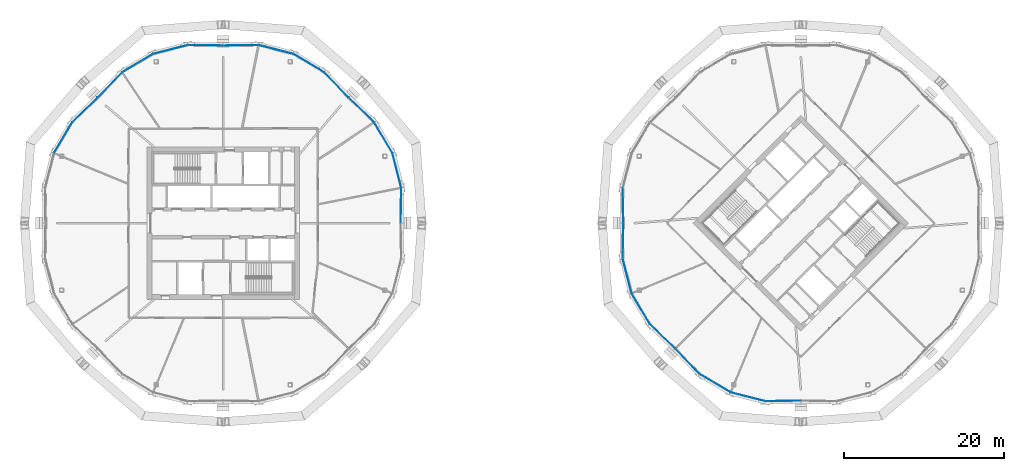
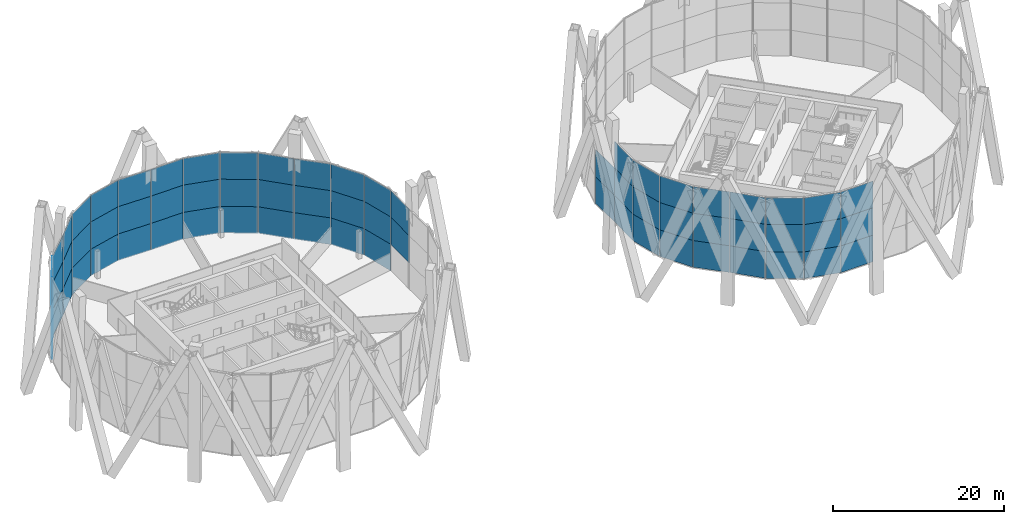
# One storey, part 13 of 23: 67 plates, 7 elements without a shape of their own.
"""IFC4 building model written with IfcOpenShell, lengths in metres."""

from ifc_helpers import new_model, si_unit, direction, frame, origin, origin_2d, place, context, subcontext, project, spatial, rectangle, extrude, material, layer, layer_set, type_object, element, aggregate, save


model = new_model("IFC4")

# Units and contexts
model_context = context("Model", 3, precision=1e-05, world=origin(), true_north=direction((0.0, 1.0)))
body_context = subcontext(model_context, "Body", "Model", "MODEL_VIEW")
ifc_project = project(units=[si_unit("LENGTHUNIT", "METRE"), si_unit("AREAUNIT", "SQUARE_METRE"), si_unit("VOLUMEUNIT", "CUBIC_METRE"), si_unit("PLANEANGLEUNIT", "RADIAN"), si_unit("MASSUNIT", "GRAM", prefix="KILO")], contexts=[model_context])

# Site, building, storey
site_placement = place(None, origin())
site = spatial("IfcSite", under=ifc_project, at=site_placement, CompositionType="ELEMENT")
building_placement = place(site_placement, origin())
building = spatial("IfcBuilding", under=site, at=building_placement, Name="Ogive Gate Towers", CompositionType="ELEMENT")
storey_placement = place(building_placement, frame((0.0, 0.0, 165.60009765625)))
storey = spatial("IfcBuildingStorey", under=building, at=storey_placement, Name="L39", CompositionType="ELEMENT", Elevation=165.60009765625)

# Curtain wall, plates
ifc_material_1 = material(Name="Pale metal aluminium", Category="aluminium")
curtain_wall_type = type_object("IfcCurtainWallType", Name="Tower unitised wall, high zone", PredefinedType="NOTDEFINED", material=ifc_material_1)
curtain_wall_1_placement = place(storey_placement, origin())
curtain_wall_1 = element("IfcCurtainWall", 1, at=curtain_wall_1_placement, inside=storey, type_object=curtain_wall_type, Name="CW2 T1 ECW01", PredefinedType="NOTDEFINED")
ifc_material_2 = material(Name="Clear glass", Category="glass")
ifc_layer = layer(ifc_material_2, 0.028076171875)
ifc_layer_set = layer_set([ifc_layer], Name="Tower unitised wall, high zone glass panel")
plate_type = type_object("IfcPlateType", Name="Tower unitised wall, high zone glass panel", PredefinedType="CURTAIN_PANEL", material=ifc_layer_set)
plate_1_placement = place(storey_placement, frame((-13.83642578125, 2.20166015625, 3.599853515625), z_axis=(0.0, 0.0, 1.0), x_axis=(0.015271037347, 0.99988339091, 0.0)))
plate_1 = element("IfcPlate", 2, at=plate_1_placement, type_object=plate_type, Name="CW2 glass panel", PredefinedType="CURTAIN_PANEL", context=body_context, shape_type="SweptSolid", body=[
    extrude(rectangle(XDim=4.349853515625, YDim=0.028076171875, at=origin_2d()), origin(), (0.0, 0.0, 1.0), 3.89990234375),
])
plate_2_placement = place(storey_placement, frame((-13.83642578125, 2.20166015625, 7.5), z_axis=(0.0, 0.0, 1.0), x_axis=(0.015271037347, 0.99988339091, 0.0)))
plate_2 = element("IfcPlate", 3, at=plate_2_placement, type_object=plate_type, Name="CW2 glass panel", PredefinedType="CURTAIN_PANEL", context=body_context, shape_type="SweptSolid", body=[
    extrude(rectangle(XDim=4.349853515625, YDim=0.028076171875, at=origin_2d()), origin(), (0.0, 0.0, 1.0), 3.803955078125),
])
plate_3_placement = place(storey_placement, frame((-14.354736328125, 6.572021484375, -0.2041015625), z_axis=(0.0, 0.0, 1.0), x_axis=(-0.247100486458, 0.968989860418, 0.0)))
plate_3 = element("IfcPlate", 4, at=plate_3_placement, type_object=plate_type, Name="CW2 glass panel", PredefinedType="CURTAIN_PANEL", context=body_context, shape_type="SweptSolid", body=[
    extrude(rectangle(XDim=4.406494140625, YDim=0.028076171875, at=origin_2d()), origin(), (0.0, 0.0, 1.0), 3.803955078125),
])
plate_4_placement = place(storey_placement, frame((-14.354736328125, 6.572021484375, 3.599853515625), z_axis=(0.0, 0.0, 1.0), x_axis=(-0.247100486458, 0.968989860418, 0.0)))
plate_4 = element("IfcPlate", 5, at=plate_4_placement, type_object=plate_type, Name="CW2 glass panel", PredefinedType="CURTAIN_PANEL", context=body_context, shape_type="SweptSolid", body=[
    extrude(rectangle(XDim=4.406494140625, YDim=0.028076171875, at=origin_2d()), origin(), (0.0, 0.0, 1.0), 3.89990234375),
])
plate_5_placement = place(storey_placement, frame((-14.354736328125, 6.572021484375, 7.5), z_axis=(0.0, 0.0, 1.0), x_axis=(-0.247100486458, 0.968989860418, 0.0)))
plate_5 = element("IfcPlate", 6, at=plate_5_placement, type_object=plate_type, Name="CW2 glass panel", PredefinedType="CURTAIN_PANEL", context=body_context, shape_type="SweptSolid", body=[
    extrude(rectangle(XDim=4.406494140625, YDim=0.028076171875, at=origin_2d()), origin(), (0.0, 0.0, 1.0), 3.803955078125),
])
plate_6_placement = place(storey_placement, frame((-16.04736328125, 10.658447265625, -0.2041015625), z_axis=(0.0, 0.0, 1.0), x_axis=(-0.510452871593, 0.859905730811, 0.0)))
plate_6 = element("IfcPlate", 7, at=plate_6_placement, type_object=plate_type, Name="CW2 glass panel", PredefinedType="CURTAIN_PANEL", context=body_context, shape_type="SweptSolid", body=[
    extrude(rectangle(XDim=4.406494140625, YDim=0.028076171875, at=origin_2d()), origin(), (0.0, 0.0, 1.0), 3.803955078125),
])
plate_7_placement = place(storey_placement, frame((-16.04736328125, 10.658447265625, 3.599853515625), z_axis=(0.0, 0.0, 1.0), x_axis=(-0.510452871593, 0.859905730811, 0.0)))
plate_7 = element("IfcPlate", 8, at=plate_7_placement, type_object=plate_type, Name="CW2 glass panel", PredefinedType="CURTAIN_PANEL", context=body_context, shape_type="SweptSolid", body=[
    extrude(rectangle(XDim=4.406494140625, YDim=0.028076171875, at=origin_2d()), origin(), (0.0, 0.0, 1.0), 3.89990234375),
])
plate_8_placement = place(storey_placement, frame((-16.04736328125, 10.658447265625, 7.5), z_axis=(0.0, 0.0, 1.0), x_axis=(-0.510452871593, 0.859905730811, 0.0)))
plate_8 = element("IfcPlate", 9, at=plate_8_placement, type_object=plate_type, Name="CW2 glass panel", PredefinedType="CURTAIN_PANEL", context=body_context, shape_type="SweptSolid", body=[
    extrude(rectangle(XDim=4.406494140625, YDim=0.028076171875, at=origin_2d()), origin(), (0.0, 0.0, 1.0), 3.803955078125),
])
plate_9_placement = place(storey_placement, frame((-18.77099609375, 14.115234375, -0.2041015625), z_axis=(0.0, 0.0, 1.0), x_axis=(-0.717810428625, 0.696238600306, 0.0)))
plate_9 = element("IfcPlate", 10, at=plate_9_placement, type_object=plate_type, Name="CW2 glass panel", PredefinedType="CURTAIN_PANEL", context=body_context, shape_type="SweptSolid", body=[
    extrude(rectangle(XDim=4.349853515625, YDim=0.028076171875, at=origin_2d()), origin(), (0.0, 0.0, 1.0), 3.803955078125),
])
plate_10_placement = place(storey_placement, frame((-18.77099609375, 14.115234375, 3.599853515625), z_axis=(0.0, 0.0, 1.0), x_axis=(-0.717810428625, 0.696238600306, 0.0)))
plate_10 = element("IfcPlate", 11, at=plate_10_placement, type_object=plate_type, Name="CW2 glass panel", PredefinedType="CURTAIN_PANEL", context=body_context, shape_type="SweptSolid", body=[
    extrude(rectangle(XDim=4.349853515625, YDim=0.028076171875, at=origin_2d()), origin(), (0.0, 0.0, 1.0), 3.89990234375),
])
plate_11_placement = place(storey_placement, frame((-18.77099609375, 14.115234375, 7.5), z_axis=(0.0, 0.0, 1.0), x_axis=(-0.717810428625, 0.696238600306, 0.0)))
plate_11 = element("IfcPlate", 12, at=plate_11_placement, type_object=plate_type, Name="CW2 glass panel", PredefinedType="CURTAIN_PANEL", context=body_context, shape_type="SweptSolid", body=[
    extrude(rectangle(XDim=4.349853515625, YDim=0.028076171875, at=origin_2d()), origin(), (0.0, 0.0, 1.0), 3.803955078125),
])
aggregate(curtain_wall_1, [plate_1, plate_2, plate_3, plate_4, plate_5, plate_6, plate_7, plate_8, plate_9, plate_10, plate_11])

curtain_wall_2_placement = place(storey_placement, origin())
curtain_wall_2 = element("IfcCurtainWall", 13, at=curtain_wall_2_placement, inside=storey, type_object=curtain_wall_type, Name="CW2 T1 ECW02", PredefinedType="NOTDEFINED")
plate_12_placement = place(storey_placement, frame((-21.884765625, 17.22900390625, -0.2041015625), z_axis=(0.0, 0.0, 1.0), x_axis=(-0.696238600306, 0.717810428625, 0.0)))
plate_12 = element("IfcPlate", 14, at=plate_12_placement, type_object=plate_type, Name="CW2 glass panel", PredefinedType="CURTAIN_PANEL", context=body_context, shape_type="SweptSolid", body=[
    extrude(rectangle(XDim=4.349853515625, YDim=0.028076171875, at=origin_2d()), origin(), (0.0, 0.0, 1.0), 3.803955078125),
])
plate_13_placement = place(storey_placement, frame((-21.884765625, 17.22900390625, 3.599853515625), z_axis=(0.0, 0.0, 1.0), x_axis=(-0.696238600306, 0.717810428625, 0.0)))
plate_13 = element("IfcPlate", 15, at=plate_13_placement, type_object=plate_type, Name="CW2 glass panel", PredefinedType="CURTAIN_PANEL", context=body_context, shape_type="SweptSolid", body=[
    extrude(rectangle(XDim=4.349853515625, YDim=0.028076171875, at=origin_2d()), origin(), (0.0, 0.0, 1.0), 3.89990234375),
])
plate_14_placement = place(storey_placement, frame((-21.884765625, 17.22900390625, 7.5), z_axis=(0.0, 0.0, 1.0), x_axis=(-0.696238600306, 0.717810428625, 0.0)))
plate_14 = element("IfcPlate", 16, at=plate_14_placement, type_object=plate_type, Name="CW2 glass panel", PredefinedType="CURTAIN_PANEL", context=body_context, shape_type="SweptSolid", body=[
    extrude(rectangle(XDim=4.349853515625, YDim=0.028076171875, at=origin_2d()), origin(), (0.0, 0.0, 1.0), 3.803955078125),
])
plate_15_placement = place(storey_placement, frame((-25.341552734375, 19.95263671875, -0.2041015625), z_axis=(0.0, 0.0, 1.0), x_axis=(-0.859905730811, 0.510452871593, 0.0)))
plate_15 = element("IfcPlate", 17, at=plate_15_placement, type_object=plate_type, Name="CW2 glass panel", PredefinedType="CURTAIN_PANEL", context=body_context, shape_type="SweptSolid", body=[
    extrude(rectangle(XDim=4.406494140625, YDim=0.028076171875, at=origin_2d()), origin(), (0.0, 0.0, 1.0), 3.803955078125),
])
plate_16_placement = place(storey_placement, frame((-25.341552734375, 19.95263671875, 3.599853515625), z_axis=(0.0, 0.0, 1.0), x_axis=(-0.859905730811, 0.510452871593, 0.0)))
plate_16 = element("IfcPlate", 18, at=plate_16_placement, type_object=plate_type, Name="CW2 glass panel", PredefinedType="CURTAIN_PANEL", context=body_context, shape_type="SweptSolid", body=[
    extrude(rectangle(XDim=4.406494140625, YDim=0.028076171875, at=origin_2d()), origin(), (0.0, 0.0, 1.0), 3.89990234375),
])
plate_17_placement = place(storey_placement, frame((-25.341552734375, 19.95263671875, 7.5), z_axis=(0.0, 0.0, 1.0), x_axis=(-0.859905730811, 0.510452871593, 0.0)))
plate_17 = element("IfcPlate", 19, at=plate_17_placement, type_object=plate_type, Name="CW2 glass panel", PredefinedType="CURTAIN_PANEL", context=body_context, shape_type="SweptSolid", body=[
    extrude(rectangle(XDim=4.406494140625, YDim=0.028076171875, at=origin_2d()), origin(), (0.0, 0.0, 1.0), 3.803955078125),
])
plate_18_placement = place(storey_placement, frame((-29.427978515625, 21.645263671875, -0.2041015625), z_axis=(0.0, 0.0, 1.0), x_axis=(-0.968989860418, 0.247100486458, 0.0)))
plate_18 = element("IfcPlate", 20, at=plate_18_placement, type_object=plate_type, Name="CW2 glass panel", PredefinedType="CURTAIN_PANEL", context=body_context, shape_type="SweptSolid", body=[
    extrude(rectangle(XDim=4.406494140625, YDim=0.028076171875, at=origin_2d()), origin(), (0.0, 0.0, 1.0), 3.803955078125),
])
plate_19_placement = place(storey_placement, frame((-29.427978515625, 21.645263671875, 3.599853515625), z_axis=(0.0, 0.0, 1.0), x_axis=(-0.968989860418, 0.247100486458, 0.0)))
plate_19 = element("IfcPlate", 21, at=plate_19_placement, type_object=plate_type, Name="CW2 glass panel", PredefinedType="CURTAIN_PANEL", context=body_context, shape_type="SweptSolid", body=[
    extrude(rectangle(XDim=4.406494140625, YDim=0.028076171875, at=origin_2d()), origin(), (0.0, 0.0, 1.0), 3.89990234375),
])
plate_20_placement = place(storey_placement, frame((-29.427978515625, 21.645263671875, 7.5), z_axis=(0.0, 0.0, 1.0), x_axis=(-0.968989860418, 0.247100486458, 0.0)))
plate_20 = element("IfcPlate", 22, at=plate_20_placement, type_object=plate_type, Name="CW2 glass panel", PredefinedType="CURTAIN_PANEL", context=body_context, shape_type="SweptSolid", body=[
    extrude(rectangle(XDim=4.406494140625, YDim=0.028076171875, at=origin_2d()), origin(), (0.0, 0.0, 1.0), 3.803955078125),
])
plate_21_placement = place(storey_placement, frame((-33.79833984375, 22.16357421875, -0.2041015625), z_axis=(0.0, 0.0, 1.0), x_axis=(-0.99988339091, -0.015271037347, 0.0)))
plate_21 = element("IfcPlate", 23, at=plate_21_placement, type_object=plate_type, Name="CW2 glass panel", PredefinedType="CURTAIN_PANEL", context=body_context, shape_type="SweptSolid", body=[
    extrude(rectangle(XDim=4.349853515625, YDim=0.028076171875, at=origin_2d()), origin(), (0.0, 0.0, 1.0), 3.803955078125),
])
plate_22_placement = place(storey_placement, frame((-33.79833984375, 22.16357421875, 3.599853515625), z_axis=(0.0, 0.0, 1.0), x_axis=(-0.99988339091, -0.015271037347, 0.0)))
plate_22 = element("IfcPlate", 24, at=plate_22_placement, type_object=plate_type, Name="CW2 glass panel", PredefinedType="CURTAIN_PANEL", context=body_context, shape_type="SweptSolid", body=[
    extrude(rectangle(XDim=4.349853515625, YDim=0.028076171875, at=origin_2d()), origin(), (0.0, 0.0, 1.0), 3.89990234375),
])
plate_23_placement = place(storey_placement, frame((-33.79833984375, 22.16357421875, 7.5), z_axis=(0.0, 0.0, 1.0), x_axis=(-0.99988339091, -0.015271037347, 0.0)))
plate_23 = element("IfcPlate", 25, at=plate_23_placement, type_object=plate_type, Name="CW2 glass panel", PredefinedType="CURTAIN_PANEL", context=body_context, shape_type="SweptSolid", body=[
    extrude(rectangle(XDim=4.349853515625, YDim=0.028076171875, at=origin_2d()), origin(), (0.0, 0.0, 1.0), 3.803955078125),
])
aggregate(curtain_wall_2, [plate_12, plate_13, plate_14, plate_15, plate_16, plate_17, plate_18, plate_19, plate_20, plate_21, plate_22, plate_23])

curtain_wall_3_placement = place(storey_placement, origin())
curtain_wall_3 = element("IfcCurtainWall", 26, at=curtain_wall_3_placement, inside=storey, type_object=curtain_wall_type, Name="CW2 T1 ECW03", PredefinedType="NOTDEFINED")
plate_24_placement = place(storey_placement, frame((-38.20166015625, 22.16357421875, -0.2041015625), z_axis=(0.0, 0.0, 1.0), x_axis=(-0.99988339091, 0.015271037347, 0.0)))
plate_24 = element("IfcPlate", 27, at=plate_24_placement, type_object=plate_type, Name="CW2 glass panel", PredefinedType="CURTAIN_PANEL", context=body_context, shape_type="SweptSolid", body=[
    extrude(rectangle(XDim=4.349853515625, YDim=0.028076171875, at=origin_2d()), origin(), (0.0, 0.0, 1.0), 3.803955078125),
])
plate_25_placement = place(storey_placement, frame((-38.20166015625, 22.16357421875, 3.599853515625), z_axis=(0.0, 0.0, 1.0), x_axis=(-0.99988339091, 0.015271037347, 0.0)))
plate_25 = element("IfcPlate", 28, at=plate_25_placement, type_object=plate_type, Name="CW2 glass panel", PredefinedType="CURTAIN_PANEL", context=body_context, shape_type="SweptSolid", body=[
    extrude(rectangle(XDim=4.349853515625, YDim=0.028076171875, at=origin_2d()), origin(), (0.0, 0.0, 1.0), 3.89990234375),
])
plate_26_placement = place(storey_placement, frame((-38.20166015625, 22.16357421875, 7.5), z_axis=(0.0, 0.0, 1.0), x_axis=(-0.99988339091, 0.015271037347, 0.0)))
plate_26 = element("IfcPlate", 29, at=plate_26_placement, type_object=plate_type, Name="CW2 glass panel", PredefinedType="CURTAIN_PANEL", context=body_context, shape_type="SweptSolid", body=[
    extrude(rectangle(XDim=4.349853515625, YDim=0.028076171875, at=origin_2d()), origin(), (0.0, 0.0, 1.0), 3.803955078125),
])
plate_27_placement = place(storey_placement, frame((-42.572021484375, 21.645263671875, -0.2041015625), z_axis=(0.0, 0.0, 1.0), x_axis=(-0.968989860418, -0.247100486458, 0.0)))
plate_27 = element("IfcPlate", 30, at=plate_27_placement, type_object=plate_type, Name="CW2 glass panel", PredefinedType="CURTAIN_PANEL", context=body_context, shape_type="SweptSolid", body=[
    extrude(rectangle(XDim=4.406494140625, YDim=0.028076171875, at=origin_2d()), origin(), (0.0, 0.0, 1.0), 3.803955078125),
])
plate_28_placement = place(storey_placement, frame((-42.572021484375, 21.645263671875, 3.599853515625), z_axis=(0.0, 0.0, 1.0), x_axis=(-0.968989860418, -0.247100486458, 0.0)))
plate_28 = element("IfcPlate", 31, at=plate_28_placement, type_object=plate_type, Name="CW2 glass panel", PredefinedType="CURTAIN_PANEL", context=body_context, shape_type="SweptSolid", body=[
    extrude(rectangle(XDim=4.406494140625, YDim=0.028076171875, at=origin_2d()), origin(), (0.0, 0.0, 1.0), 3.89990234375),
])
plate_29_placement = place(storey_placement, frame((-42.572021484375, 21.645263671875, 7.5), z_axis=(0.0, 0.0, 1.0), x_axis=(-0.968989860418, -0.247100486458, 0.0)))
plate_29 = element("IfcPlate", 32, at=plate_29_placement, type_object=plate_type, Name="CW2 glass panel", PredefinedType="CURTAIN_PANEL", context=body_context, shape_type="SweptSolid", body=[
    extrude(rectangle(XDim=4.406494140625, YDim=0.028076171875, at=origin_2d()), origin(), (0.0, 0.0, 1.0), 3.803955078125),
])
plate_30_placement = place(storey_placement, frame((-46.658447265625, 19.95263671875, -0.2041015625), z_axis=(0.0, 0.0, 1.0), x_axis=(-0.859905730811, -0.510452871593, 0.0)))
plate_30 = element("IfcPlate", 33, at=plate_30_placement, type_object=plate_type, Name="CW2 glass panel", PredefinedType="CURTAIN_PANEL", context=body_context, shape_type="SweptSolid", body=[
    extrude(rectangle(XDim=4.406494140625, YDim=0.028076171875, at=origin_2d()), origin(), (0.0, 0.0, 1.0), 3.803955078125),
])
plate_31_placement = place(storey_placement, frame((-46.658447265625, 19.95263671875, 3.599853515625), z_axis=(0.0, 0.0, 1.0), x_axis=(-0.859905730811, -0.510452871593, 0.0)))
plate_31 = element("IfcPlate", 34, at=plate_31_placement, type_object=plate_type, Name="CW2 glass panel", PredefinedType="CURTAIN_PANEL", context=body_context, shape_type="SweptSolid", body=[
    extrude(rectangle(XDim=4.406494140625, YDim=0.028076171875, at=origin_2d()), origin(), (0.0, 0.0, 1.0), 3.89990234375),
])
plate_32_placement = place(storey_placement, frame((-46.658447265625, 19.95263671875, 7.5), z_axis=(0.0, 0.0, 1.0), x_axis=(-0.859905730811, -0.510452871593, 0.0)))
plate_32 = element("IfcPlate", 35, at=plate_32_placement, type_object=plate_type, Name="CW2 glass panel", PredefinedType="CURTAIN_PANEL", context=body_context, shape_type="SweptSolid", body=[
    extrude(rectangle(XDim=4.406494140625, YDim=0.028076171875, at=origin_2d()), origin(), (0.0, 0.0, 1.0), 3.803955078125),
])
plate_33_placement = place(storey_placement, frame((-50.115234375, 17.22900390625, -0.2041015625), z_axis=(0.0, 0.0, 1.0), x_axis=(-0.696238600306, -0.717810428625, 0.0)))
plate_33 = element("IfcPlate", 36, at=plate_33_placement, type_object=plate_type, Name="CW2 glass panel", PredefinedType="CURTAIN_PANEL", context=body_context, shape_type="SweptSolid", body=[
    extrude(rectangle(XDim=4.349853515625, YDim=0.028076171875, at=origin_2d()), origin(), (0.0, 0.0, 1.0), 3.803955078125),
])
plate_34_placement = place(storey_placement, frame((-50.115234375, 17.22900390625, 3.599853515625), z_axis=(0.0, 0.0, 1.0), x_axis=(-0.696238600306, -0.717810428625, 0.0)))
plate_34 = element("IfcPlate", 37, at=plate_34_placement, type_object=plate_type, Name="CW2 glass panel", PredefinedType="CURTAIN_PANEL", context=body_context, shape_type="SweptSolid", body=[
    extrude(rectangle(XDim=4.349853515625, YDim=0.028076171875, at=origin_2d()), origin(), (0.0, 0.0, 1.0), 3.89990234375),
])
plate_35_placement = place(storey_placement, frame((-50.115234375, 17.22900390625, 7.5), z_axis=(0.0, 0.0, 1.0), x_axis=(-0.696238600306, -0.717810428625, 0.0)))
plate_35 = element("IfcPlate", 38, at=plate_35_placement, type_object=plate_type, Name="CW2 glass panel", PredefinedType="CURTAIN_PANEL", context=body_context, shape_type="SweptSolid", body=[
    extrude(rectangle(XDim=4.349853515625, YDim=0.028076171875, at=origin_2d()), origin(), (0.0, 0.0, 1.0), 3.803955078125),
])
aggregate(curtain_wall_3, [plate_24, plate_25, plate_26, plate_27, plate_28, plate_29, plate_30, plate_31, plate_32, plate_33, plate_34, plate_35])

curtain_wall_4_placement = place(storey_placement, origin())
curtain_wall_4 = element("IfcCurtainWall", 39, at=curtain_wall_4_placement, inside=storey, type_object=curtain_wall_type, Name="CW2 T1 ECW04", PredefinedType="NOTDEFINED")
plate_36_placement = place(storey_placement, frame((-53.22900390625, 14.115234375, -0.2041015625), z_axis=(0.0, 0.0, 1.0), x_axis=(-0.717810428625, -0.696238600306, 0.0)))
plate_36 = element("IfcPlate", 40, at=plate_36_placement, type_object=plate_type, Name="CW2 glass panel", PredefinedType="CURTAIN_PANEL", context=body_context, shape_type="SweptSolid", body=[
    extrude(rectangle(XDim=4.349853515625, YDim=0.028076171875, at=origin_2d()), origin(), (0.0, 0.0, 1.0), 3.803955078125),
])
plate_37_placement = place(storey_placement, frame((-53.22900390625, 14.115234375, 3.599853515625), z_axis=(0.0, 0.0, 1.0), x_axis=(-0.717810428625, -0.696238600306, 0.0)))
plate_37 = element("IfcPlate", 41, at=plate_37_placement, type_object=plate_type, Name="CW2 glass panel", PredefinedType="CURTAIN_PANEL", context=body_context, shape_type="SweptSolid", body=[
    extrude(rectangle(XDim=4.349853515625, YDim=0.028076171875, at=origin_2d()), origin(), (0.0, 0.0, 1.0), 3.89990234375),
])
plate_38_placement = place(storey_placement, frame((-53.22900390625, 14.115234375, 7.5), z_axis=(0.0, 0.0, 1.0), x_axis=(-0.717810428625, -0.696238600306, 0.0)))
plate_38 = element("IfcPlate", 42, at=plate_38_placement, type_object=plate_type, Name="CW2 glass panel", PredefinedType="CURTAIN_PANEL", context=body_context, shape_type="SweptSolid", body=[
    extrude(rectangle(XDim=4.349853515625, YDim=0.028076171875, at=origin_2d()), origin(), (0.0, 0.0, 1.0), 3.803955078125),
])
plate_39_placement = place(storey_placement, frame((-55.95263671875, 10.658447265625, -0.2041015625), z_axis=(0.0, 0.0, 1.0), x_axis=(-0.510452871593, -0.859905730811, 0.0)))
plate_39 = element("IfcPlate", 43, at=plate_39_placement, type_object=plate_type, Name="CW2 glass panel", PredefinedType="CURTAIN_PANEL", context=body_context, shape_type="SweptSolid", body=[
    extrude(rectangle(XDim=4.406494140625, YDim=0.028076171875, at=origin_2d()), origin(), (0.0, 0.0, 1.0), 3.803955078125),
])
plate_40_placement = place(storey_placement, frame((-55.95263671875, 10.658447265625, 3.599853515625), z_axis=(0.0, 0.0, 1.0), x_axis=(-0.510452871593, -0.859905730811, 0.0)))
plate_40 = element("IfcPlate", 44, at=plate_40_placement, type_object=plate_type, Name="CW2 glass panel", PredefinedType="CURTAIN_PANEL", context=body_context, shape_type="SweptSolid", body=[
    extrude(rectangle(XDim=4.406494140625, YDim=0.028076171875, at=origin_2d()), origin(), (0.0, 0.0, 1.0), 3.89990234375),
])
plate_41_placement = place(storey_placement, frame((-55.95263671875, 10.658447265625, 7.5), z_axis=(0.0, 0.0, 1.0), x_axis=(-0.510452871593, -0.859905730811, 0.0)))
plate_41 = element("IfcPlate", 45, at=plate_41_placement, type_object=plate_type, Name="CW2 glass panel", PredefinedType="CURTAIN_PANEL", context=body_context, shape_type="SweptSolid", body=[
    extrude(rectangle(XDim=4.406494140625, YDim=0.028076171875, at=origin_2d()), origin(), (0.0, 0.0, 1.0), 3.803955078125),
])
aggregate(curtain_wall_4, [plate_36, plate_37, plate_38, plate_39, plate_40, plate_41])

curtain_wall_5_placement = place(storey_placement, origin())
curtain_wall_5 = element("IfcCurtainWall", 46, at=curtain_wall_5_placement, inside=storey, type_object=curtain_wall_type, Name="CW2 T2 ECW04", PredefinedType="NOTDEFINED")
plate_42_placement = place(storey_placement, frame((13.83642578125, 2.20166015625, -0.2041015625), z_axis=(0.0, 0.0, 1.0), x_axis=(0.015271037347, -0.99988339091, 0.0)))
plate_42 = element("IfcPlate", 47, at=plate_42_placement, type_object=plate_type, Name="CW2 glass panel", PredefinedType="CURTAIN_PANEL", context=body_context, shape_type="SweptSolid", body=[
    extrude(rectangle(XDim=4.349853515625, YDim=0.028076171875, at=origin_2d()), origin(), (0.0, 0.0, 1.0), 3.803955078125),
])
plate_43_placement = place(storey_placement, frame((13.83642578125, 2.20166015625, 3.599853515625), z_axis=(0.0, 0.0, 1.0), x_axis=(0.015271037347, -0.99988339091, 0.0)))
plate_43 = element("IfcPlate", 48, at=plate_43_placement, type_object=plate_type, Name="CW2 glass panel", PredefinedType="CURTAIN_PANEL", context=body_context, shape_type="SweptSolid", body=[
    extrude(rectangle(XDim=4.349853515625, YDim=0.028076171875, at=origin_2d()), origin(), (0.0, 0.0, 1.0), 3.89990234375),
])
aggregate(curtain_wall_5, [plate_42, plate_43])

curtain_wall_6_placement = place(storey_placement, origin())
curtain_wall_6 = element("IfcCurtainWall", 49, at=curtain_wall_6_placement, inside=storey, type_object=curtain_wall_type, Name="CW2 T2 ECW05", PredefinedType="NOTDEFINED")
plate_44_placement = place(storey_placement, frame((13.83642578125, -2.20166015625, -0.2041015625), z_axis=(0.0, 0.0, 1.0), x_axis=(-0.015271037347, -0.99988339091, 0.0)))
plate_44 = element("IfcPlate", 50, at=plate_44_placement, type_object=plate_type, Name="CW2 glass panel", PredefinedType="CURTAIN_PANEL", context=body_context, shape_type="SweptSolid", body=[
    extrude(rectangle(XDim=4.349853515625, YDim=0.028076171875, at=origin_2d()), origin(), (0.0, 0.0, 1.0), 3.803955078125),
])
plate_45_placement = place(storey_placement, frame((13.83642578125, -2.20166015625, 3.599853515625), z_axis=(0.0, 0.0, 1.0), x_axis=(-0.015271037347, -0.99988339091, 0.0)))
plate_45 = element("IfcPlate", 51, at=plate_45_placement, type_object=plate_type, Name="CW2 glass panel", PredefinedType="CURTAIN_PANEL", context=body_context, shape_type="SweptSolid", body=[
    extrude(rectangle(XDim=4.349853515625, YDim=0.028076171875, at=origin_2d()), origin(), (0.0, 0.0, 1.0), 3.89990234375),
])
plate_46_placement = place(storey_placement, frame((13.83642578125, -2.20166015625, 7.5), z_axis=(0.0, 0.0, 1.0), x_axis=(-0.015271037347, -0.99988339091, 0.0)))
plate_46 = element("IfcPlate", 52, at=plate_46_placement, type_object=plate_type, Name="CW2 glass panel", PredefinedType="CURTAIN_PANEL", context=body_context, shape_type="SweptSolid", body=[
    extrude(rectangle(XDim=4.349853515625, YDim=0.028076171875, at=origin_2d()), origin(), (0.0, 0.0, 1.0), 3.803955078125),
])
plate_47_placement = place(storey_placement, frame((14.354736328125, -6.572021484375, -0.2041015625), z_axis=(0.0, 0.0, 1.0), x_axis=(0.247100486458, -0.968989860418, 0.0)))
plate_47 = element("IfcPlate", 53, at=plate_47_placement, type_object=plate_type, Name="CW2 glass panel", PredefinedType="CURTAIN_PANEL", context=body_context, shape_type="SweptSolid", body=[
    extrude(rectangle(XDim=4.406494140625, YDim=0.028076171875, at=origin_2d()), origin(), (0.0, 0.0, 1.0), 3.803955078125),
])
plate_48_placement = place(storey_placement, frame((14.354736328125, -6.572021484375, 3.599853515625), z_axis=(0.0, 0.0, 1.0), x_axis=(0.247100486458, -0.968989860418, 0.0)))
plate_48 = element("IfcPlate", 54, at=plate_48_placement, type_object=plate_type, Name="CW2 glass panel", PredefinedType="CURTAIN_PANEL", context=body_context, shape_type="SweptSolid", body=[
    extrude(rectangle(XDim=4.406494140625, YDim=0.028076171875, at=origin_2d()), origin(), (0.0, 0.0, 1.0), 3.89990234375),
])
plate_49_placement = place(storey_placement, frame((14.354736328125, -6.572021484375, 7.5), z_axis=(0.0, 0.0, 1.0), x_axis=(0.247100486458, -0.968989860418, 0.0)))
plate_49 = element("IfcPlate", 55, at=plate_49_placement, type_object=plate_type, Name="CW2 glass panel", PredefinedType="CURTAIN_PANEL", context=body_context, shape_type="SweptSolid", body=[
    extrude(rectangle(XDim=4.406494140625, YDim=0.028076171875, at=origin_2d()), origin(), (0.0, 0.0, 1.0), 3.803955078125),
])
plate_50_placement = place(storey_placement, frame((16.04736328125, -10.658447265625, -0.2041015625), z_axis=(0.0, 0.0, 1.0), x_axis=(0.510452871593, -0.859905730811, 0.0)))
plate_50 = element("IfcPlate", 56, at=plate_50_placement, type_object=plate_type, Name="CW2 glass panel", PredefinedType="CURTAIN_PANEL", context=body_context, shape_type="SweptSolid", body=[
    extrude(rectangle(XDim=4.406494140625, YDim=0.028076171875, at=origin_2d()), origin(), (0.0, 0.0, 1.0), 3.803955078125),
])
plate_51_placement = place(storey_placement, frame((16.04736328125, -10.658447265625, 3.599853515625), z_axis=(0.0, 0.0, 1.0), x_axis=(0.510452871593, -0.859905730811, 0.0)))
plate_51 = element("IfcPlate", 57, at=plate_51_placement, type_object=plate_type, Name="CW2 glass panel", PredefinedType="CURTAIN_PANEL", context=body_context, shape_type="SweptSolid", body=[
    extrude(rectangle(XDim=4.406494140625, YDim=0.028076171875, at=origin_2d()), origin(), (0.0, 0.0, 1.0), 3.89990234375),
])
plate_52_placement = place(storey_placement, frame((16.04736328125, -10.658447265625, 7.5), z_axis=(0.0, 0.0, 1.0), x_axis=(0.510452871593, -0.859905730811, 0.0)))
plate_52 = element("IfcPlate", 58, at=plate_52_placement, type_object=plate_type, Name="CW2 glass panel", PredefinedType="CURTAIN_PANEL", context=body_context, shape_type="SweptSolid", body=[
    extrude(rectangle(XDim=4.406494140625, YDim=0.028076171875, at=origin_2d()), origin(), (0.0, 0.0, 1.0), 3.803955078125),
])
plate_53_placement = place(storey_placement, frame((18.77099609375, -14.115234375, -0.2041015625), z_axis=(0.0, 0.0, 1.0), x_axis=(0.717810428625, -0.696238600306, 0.0)))
plate_53 = element("IfcPlate", 59, at=plate_53_placement, type_object=plate_type, Name="CW2 glass panel", PredefinedType="CURTAIN_PANEL", context=body_context, shape_type="SweptSolid", body=[
    extrude(rectangle(XDim=4.349853515625, YDim=0.028076171875, at=origin_2d()), origin(), (0.0, 0.0, 1.0), 3.803955078125),
])
plate_54_placement = place(storey_placement, frame((18.77099609375, -14.115234375, 3.599853515625), z_axis=(0.0, 0.0, 1.0), x_axis=(0.717810428625, -0.696238600306, 0.0)))
plate_54 = element("IfcPlate", 60, at=plate_54_placement, type_object=plate_type, Name="CW2 glass panel", PredefinedType="CURTAIN_PANEL", context=body_context, shape_type="SweptSolid", body=[
    extrude(rectangle(XDim=4.349853515625, YDim=0.028076171875, at=origin_2d()), origin(), (0.0, 0.0, 1.0), 3.89990234375),
])
plate_55_placement = place(storey_placement, frame((18.77099609375, -14.115234375, 7.5), z_axis=(0.0, 0.0, 1.0), x_axis=(0.717810428625, -0.696238600306, 0.0)))
plate_55 = element("IfcPlate", 61, at=plate_55_placement, type_object=plate_type, Name="CW2 glass panel", PredefinedType="CURTAIN_PANEL", context=body_context, shape_type="SweptSolid", body=[
    extrude(rectangle(XDim=4.349853515625, YDim=0.028076171875, at=origin_2d()), origin(), (0.0, 0.0, 1.0), 3.803955078125),
])
aggregate(curtain_wall_6, [plate_44, plate_45, plate_46, plate_47, plate_48, plate_49, plate_50, plate_51, plate_52, plate_53, plate_54, plate_55])

curtain_wall_7_placement = place(storey_placement, origin())
curtain_wall_7 = element("IfcCurtainWall", 62, at=curtain_wall_7_placement, inside=storey, type_object=curtain_wall_type, Name="CW2 T2 ECW06", PredefinedType="NOTDEFINED")
plate_56_placement = place(storey_placement, frame((21.884765625, -17.22900390625, -0.2041015625), z_axis=(0.0, 0.0, 1.0), x_axis=(0.696238600306, -0.717810428625, 0.0)))
plate_56 = element("IfcPlate", 63, at=plate_56_placement, type_object=plate_type, Name="CW2 glass panel", PredefinedType="CURTAIN_PANEL", context=body_context, shape_type="SweptSolid", body=[
    extrude(rectangle(XDim=4.349853515625, YDim=0.028076171875, at=origin_2d()), origin(), (0.0, 0.0, 1.0), 3.803955078125),
])
plate_57_placement = place(storey_placement, frame((21.884765625, -17.22900390625, 3.599853515625), z_axis=(0.0, 0.0, 1.0), x_axis=(0.696238600306, -0.717810428625, 0.0)))
plate_57 = element("IfcPlate", 64, at=plate_57_placement, type_object=plate_type, Name="CW2 glass panel", PredefinedType="CURTAIN_PANEL", context=body_context, shape_type="SweptSolid", body=[
    extrude(rectangle(XDim=4.349853515625, YDim=0.028076171875, at=origin_2d()), origin(), (0.0, 0.0, 1.0), 3.89990234375),
])
plate_58_placement = place(storey_placement, frame((21.884765625, -17.22900390625, 7.5), z_axis=(0.0, 0.0, 1.0), x_axis=(0.696238600306, -0.717810428625, 0.0)))
plate_58 = element("IfcPlate", 65, at=plate_58_placement, type_object=plate_type, Name="CW2 glass panel", PredefinedType="CURTAIN_PANEL", context=body_context, shape_type="SweptSolid", body=[
    extrude(rectangle(XDim=4.349853515625, YDim=0.028076171875, at=origin_2d()), origin(), (0.0, 0.0, 1.0), 3.803955078125),
])
plate_59_placement = place(storey_placement, frame((25.341552734375, -19.95263671875, -0.2041015625), z_axis=(0.0, 0.0, 1.0), x_axis=(0.859905730811, -0.510452871593, 0.0)))
plate_59 = element("IfcPlate", 66, at=plate_59_placement, type_object=plate_type, Name="CW2 glass panel", PredefinedType="CURTAIN_PANEL", context=body_context, shape_type="SweptSolid", body=[
    extrude(rectangle(XDim=4.406494140625, YDim=0.028076171875, at=origin_2d()), origin(), (0.0, 0.0, 1.0), 3.803955078125),
])
plate_60_placement = place(storey_placement, frame((25.341552734375, -19.95263671875, 3.599853515625), z_axis=(0.0, 0.0, 1.0), x_axis=(0.859905730811, -0.510452871593, 0.0)))
plate_60 = element("IfcPlate", 67, at=plate_60_placement, type_object=plate_type, Name="CW2 glass panel", PredefinedType="CURTAIN_PANEL", context=body_context, shape_type="SweptSolid", body=[
    extrude(rectangle(XDim=4.406494140625, YDim=0.028076171875, at=origin_2d()), origin(), (0.0, 0.0, 1.0), 3.89990234375),
])
plate_61_placement = place(storey_placement, frame((25.341552734375, -19.95263671875, 7.5), z_axis=(0.0, 0.0, 1.0), x_axis=(0.859905730811, -0.510452871593, 0.0)))
plate_61 = element("IfcPlate", 68, at=plate_61_placement, type_object=plate_type, Name="CW2 glass panel", PredefinedType="CURTAIN_PANEL", context=body_context, shape_type="SweptSolid", body=[
    extrude(rectangle(XDim=4.406494140625, YDim=0.028076171875, at=origin_2d()), origin(), (0.0, 0.0, 1.0), 3.803955078125),
])
plate_62_placement = place(storey_placement, frame((29.427978515625, -21.645263671875, -0.2041015625), z_axis=(0.0, 0.0, 1.0), x_axis=(0.968989860418, -0.247100486458, 0.0)))
plate_62 = element("IfcPlate", 69, at=plate_62_placement, type_object=plate_type, Name="CW2 glass panel", PredefinedType="CURTAIN_PANEL", context=body_context, shape_type="SweptSolid", body=[
    extrude(rectangle(XDim=4.406494140625, YDim=0.028076171875, at=origin_2d()), origin(), (0.0, 0.0, 1.0), 3.803955078125),
])
plate_63_placement = place(storey_placement, frame((29.427978515625, -21.645263671875, 3.599853515625), z_axis=(0.0, 0.0, 1.0), x_axis=(0.968989860418, -0.247100486458, 0.0)))
plate_63 = element("IfcPlate", 70, at=plate_63_placement, type_object=plate_type, Name="CW2 glass panel", PredefinedType="CURTAIN_PANEL", context=body_context, shape_type="SweptSolid", body=[
    extrude(rectangle(XDim=4.406494140625, YDim=0.028076171875, at=origin_2d()), origin(), (0.0, 0.0, 1.0), 3.89990234375),
])
plate_64_placement = place(storey_placement, frame((29.427978515625, -21.645263671875, 7.5), z_axis=(0.0, 0.0, 1.0), x_axis=(0.968989860418, -0.247100486458, 0.0)))
plate_64 = element("IfcPlate", 71, at=plate_64_placement, type_object=plate_type, Name="CW2 glass panel", PredefinedType="CURTAIN_PANEL", context=body_context, shape_type="SweptSolid", body=[
    extrude(rectangle(XDim=4.406494140625, YDim=0.028076171875, at=origin_2d()), origin(), (0.0, 0.0, 1.0), 3.803955078125),
])
plate_65_placement = place(storey_placement, frame((33.79833984375, -22.16357421875, -0.2041015625), z_axis=(0.0, 0.0, 1.0), x_axis=(0.99988339091, 0.015271037347, 0.0)))
plate_65 = element("IfcPlate", 72, at=plate_65_placement, type_object=plate_type, Name="CW2 glass panel", PredefinedType="CURTAIN_PANEL", context=body_context, shape_type="SweptSolid", body=[
    extrude(rectangle(XDim=4.349853515625, YDim=0.028076171875, at=origin_2d()), origin(), (0.0, 0.0, 1.0), 3.803955078125),
])
plate_66_placement = place(storey_placement, frame((33.79833984375, -22.16357421875, 3.599853515625), z_axis=(0.0, 0.0, 1.0), x_axis=(0.99988339091, 0.015271037347, 0.0)))
plate_66 = element("IfcPlate", 73, at=plate_66_placement, type_object=plate_type, Name="CW2 glass panel", PredefinedType="CURTAIN_PANEL", context=body_context, shape_type="SweptSolid", body=[
    extrude(rectangle(XDim=4.349853515625, YDim=0.028076171875, at=origin_2d()), origin(), (0.0, 0.0, 1.0), 3.89990234375),
])
plate_67_placement = place(storey_placement, frame((33.79833984375, -22.16357421875, 7.5), z_axis=(0.0, 0.0, 1.0), x_axis=(0.99988339091, 0.015271037347, 0.0)))
plate_67 = element("IfcPlate", 74, at=plate_67_placement, type_object=plate_type, Name="CW2 glass panel", PredefinedType="CURTAIN_PANEL", context=body_context, shape_type="SweptSolid", body=[
    extrude(rectangle(XDim=4.349853515625, YDim=0.028076171875, at=origin_2d()), origin(), (0.0, 0.0, 1.0), 3.803955078125),
])
aggregate(curtain_wall_7, [plate_56, plate_57, plate_58, plate_59, plate_60, plate_61, plate_62, plate_63, plate_64, plate_65, plate_66, plate_67])

save(model, "model.ifc")
